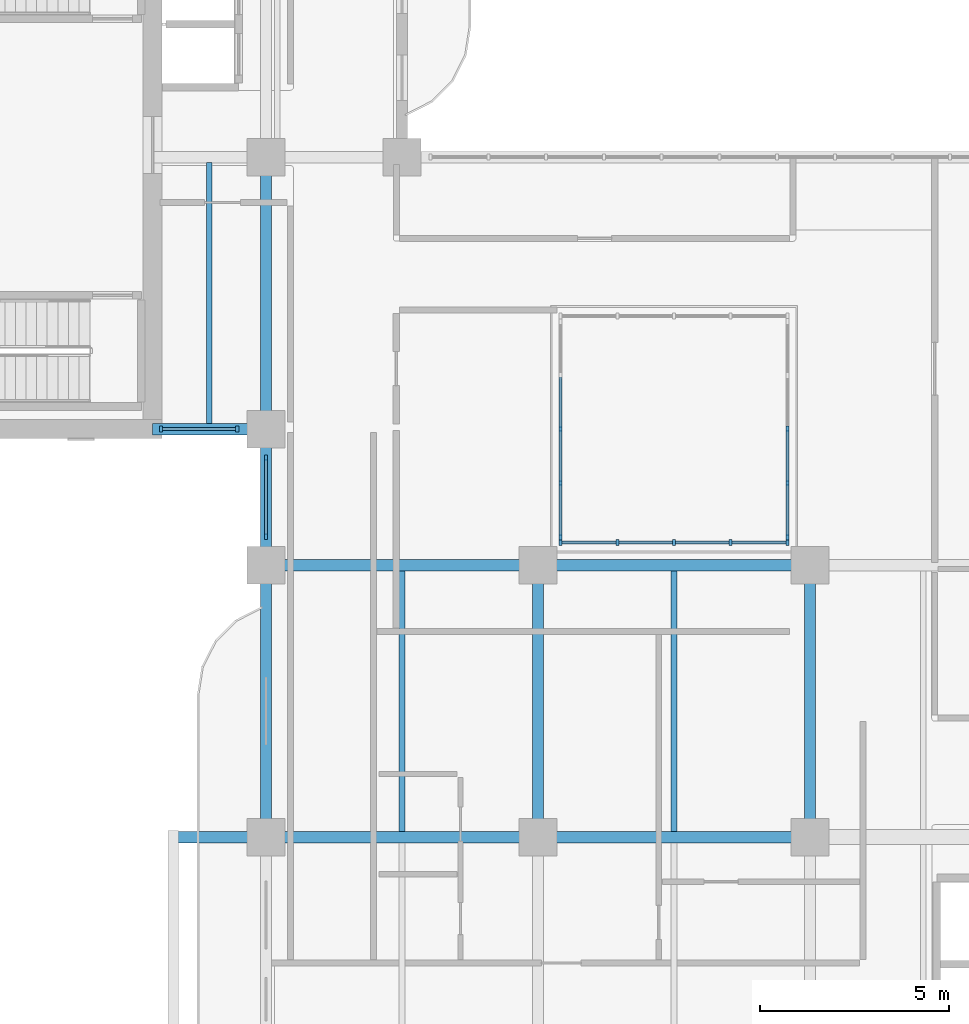
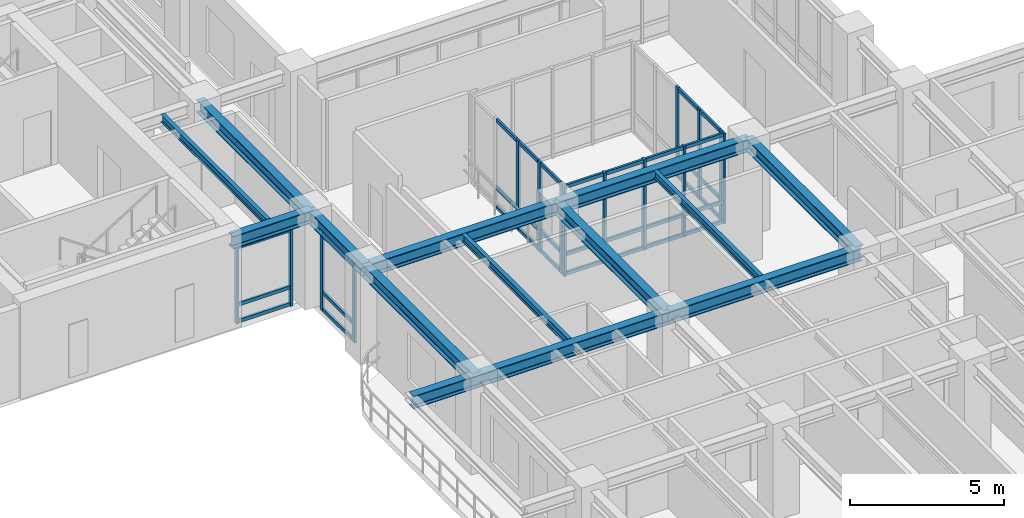
# One storey, part 2 of 21: 48 members, 13 beams, 5 elements without a shape of their own.
"""IFC4 building model written with IfcOpenShell, lengths in metres."""

from ifc_helpers import new_model, si_unit, derived_unit, direction, frame, origin, origin_2d, place, context, subcontext, project, spatial, rectangle, i_section, extrude, source, transform, mapped, material, layer, layer_set, material_profile, profile_set, type_object, type_shapes, element, aggregate, save


model = new_model("IFC4")

# Units and contexts
model_context = context("Model", 3, precision=1e-05, world=origin(), true_north=direction((0.0, 1.0)))
body_context = subcontext(model_context, "Body", "Model", "MODEL_VIEW")
ifc_project = project(units=[si_unit("LENGTHUNIT", "METRE"), si_unit("AREAUNIT", "SQUARE_METRE"), si_unit("VOLUMEUNIT", "CUBIC_METRE"), si_unit("PLANEANGLEUNIT", "RADIAN"), si_unit("MASSUNIT", "GRAM", prefix="KILO"), si_unit("THERMODYNAMICTEMPERATUREUNIT", "KELVIN"), si_unit("POWERUNIT", "WATT"), derived_unit("THERMALTRANSMITTANCEUNIT", [(si_unit("POWERUNIT", "WATT"), 1), (si_unit("AREAUNIT", "SQUARE_METRE"), -1), (si_unit("THERMODYNAMICTEMPERATUREUNIT", "KELVIN"), -1)])], contexts=[model_context])

# Site, building, storey
site_placement = place(None, origin())
site = spatial("IfcSite", under=ifc_project, at=site_placement, CompositionType="ELEMENT")
building_placement = place(site_placement, origin())
building = spatial("IfcBuilding", under=site, at=building_placement, Name="Zahravan Archway Hotel and Residences", CompositionType="ELEMENT")
storey_placement = place(building_placement, frame((0.0, 0.0, 165.699951171875)))
storey = spatial("IfcBuildingStorey", under=building, at=storey_placement, Name="L41", CompositionType="ELEMENT", Elevation=165.699951171875)

# Beams
ifc_material_1 = material(Name="Structural Steel S355JR", Category="steel")
ifc_material_profile_1 = material_profile(ifc_material_1, i_section(OverallWidth=0.300048828125, OverallDepth=0.5, WebThickness=0.014404296875, FlangeThickness=0.028076171875, FilletRadius=0.027099609375, at=origin_2d()), Name="HEB 500", Category="steel")
ifc_profile_set_1 = profile_set([ifc_material_profile_1], Name="Structural Steel S355JR")
beam_type_1 = type_object("IfcBeamType", Name="BM-PRI-HEB500", PredefinedType="BEAM", material=ifc_profile_set_1)
shared_shape_1 = source(origin(), body_context, "Body", "SweptSolid", [
    extrude(i_section(OverallWidth=0.300048828125, OverallDepth=0.5, WebThickness=0.014404296875, FlangeThickness=0.028076171875, FilletRadius=0.027099609375, at=origin_2d()), origin(), (0.0, 0.0, 1.0), 7.2001953125),
])
type_shapes(beam_type_1, [shared_shape_1])
for number, where, z_axis, x_axis, name in (
    (1, (14.39990234375, 21.60009765625, 3.35009765625), (1.0, 0.0, 0.0), (0.0, 1.0, 0.0), "L41 Primary Girder EW-11"),
    (2, (14.39990234375, 14.39990234375, 3.35009765625), (0.0, 1.0, 0.0), (-1.0, 0.0, 0.0), "L41 Primary Girder NS-30"),
    (3, (21.60009765625, 14.39990234375, 3.35009765625), (0.0, 1.0, 0.0), (-1.0, 0.0, 0.0), "L41 Primary Girder NS-37"),
    (4, (28.800048828125, 14.39990234375, 3.35009765625), (0.0, 1.0, 0.0), (-1.0, 0.0, 0.0), "L41 Primary Girder NS-40"),
):
    element("IfcBeam", number, at=place(storey_placement, frame(where, z_axis=z_axis, x_axis=x_axis)), inside=storey, type_object=beam_type_1, Name=name, PredefinedType="BEAM", context=body_context, shape_type="MappedRepresentation", body=[
        mapped(shared_shape_1, transform((0.0, 0.0, 0.0), scale=1.0)),
    ])
shared_shape_2 = source(origin(), body_context, "Body", "SweptSolid", [
    extrude(i_section(OverallWidth=0.300048828125, OverallDepth=0.5, WebThickness=0.014404296875, FlangeThickness=0.028076171875, FilletRadius=0.027099609375, at=origin_2d()), origin(), (0.0, 0.0, 1.0), 7.199951171875),
])
for number, where, z_axis, x_axis, name in (
    (5, (21.60009765625, 14.39990234375, 3.35009765625), (1.0, 0.0, 0.0), (0.0, 1.0, 0.0), "L41 Primary Girder EW-10"),
    (6, (21.60009765625, 21.60009765625, 3.35009765625), (1.0, 0.0, 0.0), (0.0, 1.0, 0.0), "L41 Primary Girder EW-12"),
    (7, (14.39990234375, 25.199951171875, 3.35009765625), (0.0, 1.0, 0.0), (-1.0, 0.0, 0.0), "L41 Primary Girder NS-32"),
):
    element("IfcBeam", number, at=place(storey_placement, frame(where, z_axis=z_axis, x_axis=x_axis)), inside=storey, type_object=beam_type_1, Name=name, PredefinedType="BEAM", context=body_context, shape_type="MappedRepresentation", body=[
        mapped(shared_shape_2, transform((0.0, 0.0, 0.0), scale=1.0)),
    ])
shared_shape_3 = source(origin(), body_context, "Body", "SweptSolid", [
    extrude(i_section(OverallWidth=0.300048828125, OverallDepth=0.5, WebThickness=0.014404296875, FlangeThickness=0.028076171875, FilletRadius=0.027099609375, at=origin_2d()), origin(), (0.0, 0.0, 1.0), 9.650146484375),
])
beam_1_placement = place(storey_placement, frame((11.949951171875, 14.39990234375, 3.35009765625), z_axis=(1.0, 0.0, 0.0), x_axis=(0.0, 1.0, 0.0)))
element("IfcBeam", 8, at=beam_1_placement, inside=storey, type_object=beam_type_1, Name="L41 Primary Girder EW-09", PredefinedType="BEAM", context=body_context, shape_type="MappedRepresentation", body=[
    mapped(shared_shape_3, transform((0.0, 0.0, 0.0), scale=1.0)),
])
shared_shape_4 = source(origin(), body_context, "Body", "SweptSolid", [
    extrude(i_section(OverallWidth=0.300048828125, OverallDepth=0.5, WebThickness=0.014404296875, FlangeThickness=0.028076171875, FilletRadius=0.027099609375, at=origin_2d()), origin(), (0.0, 0.0, 1.0), 3.0),
])
beam_2_placement = place(storey_placement, frame((11.39990234375, 25.199951171875, 3.35009765625), z_axis=(1.0, 0.0, 0.0), x_axis=(0.0, 1.0, 0.0)))
element("IfcBeam", 9, at=beam_2_placement, inside=storey, type_object=beam_type_1, Name="L41 Primary Girder EW-16", PredefinedType="BEAM", context=body_context, shape_type="MappedRepresentation", body=[
    mapped(shared_shape_4, transform((0.0, 0.0, 0.0), scale=1.0)),
])
shared_shape_5 = source(origin(), body_context, "Body", "SweptSolid", [
    extrude(i_section(OverallWidth=0.300048828125, OverallDepth=0.5, WebThickness=0.014404296875, FlangeThickness=0.028076171875, FilletRadius=0.027099609375, at=origin_2d()), origin(), (0.0, 0.0, 1.0), 3.599853515625),
])
beam_3_placement = place(storey_placement, frame((14.39990234375, 21.60009765625, 3.35009765625), z_axis=(0.0, 1.0, 0.0), x_axis=(-1.0, 0.0, 0.0)))
element("IfcBeam", 10, at=beam_3_placement, inside=storey, type_object=beam_type_1, Name="L41 Primary Girder NS-31", PredefinedType="BEAM", context=body_context, shape_type="MappedRepresentation", body=[
    mapped(shared_shape_5, transform((0.0, 0.0, 0.0), scale=1.0)),
])
ifc_material_profile_2 = material_profile(ifc_material_1, i_section(OverallWidth=0.14990234375, OverallDepth=0.300048828125, WebThickness=0.007080078125, FlangeThickness=0.0107421875, FilletRadius=0.014892578125, at=origin_2d()), Name="IPE 300", Category="steel")
ifc_profile_set_2 = profile_set([ifc_material_profile_2], Name="Structural Steel S355JR")
beam_type_2 = type_object("IfcBeamType", Name="BM-JST-IPE300", PredefinedType="JOIST", material=ifc_profile_set_2)
shared_shape_6 = source(origin(), body_context, "Body", "SweptSolid", [
    extrude(i_section(OverallWidth=0.14990234375, OverallDepth=0.300048828125, WebThickness=0.007080078125, FlangeThickness=0.0107421875, FilletRadius=0.014892578125, at=origin_2d()), origin(), (0.0, 0.0, 1.0), 6.904052734375),
])
type_shapes(beam_type_2, [shared_shape_6])
beam_4_placement = place(storey_placement, frame((12.89990234375, 25.347900390625, 3.449951171875), z_axis=(0.0, 1.0, 0.0), x_axis=(-1.0, 0.0, 0.0)))
element("IfcBeam", 11, at=beam_4_placement, inside=storey, type_object=beam_type_2, Name="L41 Composite Floor Joist 10", PredefinedType="JOIST", context=body_context, shape_type="MappedRepresentation", body=[
    mapped(shared_shape_6, transform((0.0, 0.0, 0.0), scale=1.0)),
])
shared_shape_7 = source(origin(), body_context, "Body", "SweptSolid", [
    extrude(i_section(OverallWidth=0.14990234375, OverallDepth=0.300048828125, WebThickness=0.007080078125, FlangeThickness=0.0107421875, FilletRadius=0.014892578125, at=origin_2d()), origin(), (0.0, 0.0, 1.0), 6.90380859375),
])
for number, where, z_axis, x_axis, name in (
    (12, (18.0, 14.548095703125, 3.449951171875), (0.0, 1.0, 0.0), (-1.0, 0.0, 0.0), "L41 Composite Floor Joist 08"),
    (13, (25.199951171875, 14.548095703125, 3.449951171875), (0.0, 1.0, 0.0), (-1.0, 0.0, 0.0), "L41 Composite Floor Joist 09"),
):
    element("IfcBeam", number, at=place(storey_placement, frame(where, z_axis=z_axis, x_axis=x_axis)), inside=storey, type_object=beam_type_2, Name=name, PredefinedType="JOIST", context=body_context, shape_type="MappedRepresentation", body=[
        mapped(shared_shape_7, transform((0.0, 0.0, 0.0), scale=1.0)),
    ])

# Curtain wall, members
ifc_material_2 = material(Name="Bronze-Anodized Unitised Aluminium & Low-E Glass", Category="aluminium")
ifc_layer = layer(ifc_material_2, 0.179931640625, Name="Bronze-Anodized Unitised Aluminium & Low-E Glass", Category="aluminium")
ifc_layer_set = layer_set([ifc_layer], Name="Bronze-Anodized Unitised Aluminium & Low-E Glass")
curtain_wall_type = type_object("IfcCurtainWallType", Name="CW-ATR-GLAZ", PredefinedType="NOTDEFINED", material=ifc_layer_set)
curtain_wall_1_placement = place(storey_placement, origin())
curtain_wall_1 = element("IfcCurtainWall", 14, at=curtain_wall_1_placement, inside=storey, type_object=curtain_wall_type, Name="L41 Curtain Wall CW-L41-WB-SE-1", PredefinedType="NOTDEFINED")
ifc_material_3 = material(Name="Bronze-Anodized Extruded Aluminium", Category="aluminium")
ifc_material_profile_3 = material_profile(ifc_material_3, rectangle(XDim=0.080078125, YDim=0.139892578125, at=origin_2d()), Name="TRN 80x140", Category="aluminium")
ifc_profile_set_3 = profile_set([ifc_material_profile_3], Name="Bronze-Anodized Extruded Aluminium")
member_type_1 = type_object("IfcMemberType", Name="CWM-TRN-140", PredefinedType="USERDEFINED", material=ifc_profile_set_3)
shared_shape_8 = source(origin(), body_context, "Body", "SweptSolid", [
    extrude(rectangle(XDim=0.080078125, YDim=0.139892578125, at=origin_2d()), origin(), (0.0, 0.0, 1.0), 1.940185546875),
])
member_1_placement = place(storey_placement, frame((11.659912109375, 25.199951171875, 0.070068359375), z_axis=(1.0, 0.0, 0.0), x_axis=(0.0, 1.0, 0.0)))
member_1 = element("IfcMember", 15, at=member_1_placement, type_object=member_type_1, Name="CW-L41-WB-SE-1 Transom 0-1", ObjectType="TRANSOM", PredefinedType="USERDEFINED", context=body_context, shape_type="MappedRepresentation", body=[
    mapped(shared_shape_8, transform((0.0, 0.0, 0.0), scale=1.0)),
])
member_2_placement = place(storey_placement, frame((11.659912109375, 25.199951171875, 0.740478515625), z_axis=(1.0, 0.0, 0.0), x_axis=(0.0, 1.0, 0.0)))
member_2 = element("IfcMember", 16, at=member_2_placement, type_object=member_type_1, Name="CW-L41-WB-SE-1 Transom 0-2", ObjectType="TRANSOM", PredefinedType="USERDEFINED", context=body_context, shape_type="MappedRepresentation", body=[
    mapped(shared_shape_8, transform((0.0, 0.0, 0.0), scale=1.0)),
])
member_3_placement = place(storey_placement, frame((11.659912109375, 25.199951171875, 3.01513671875), z_axis=(1.0, 0.0, 0.0), x_axis=(0.0, 1.0, 0.0)))
member_3 = element("IfcMember", 17, at=member_3_placement, type_object=member_type_1, Name="CW-L41-WB-SE-1 Transom 0-3", ObjectType="TRANSOM", PredefinedType="USERDEFINED", context=body_context, shape_type="MappedRepresentation", body=[
    mapped(shared_shape_8, transform((0.0, 0.0, 0.0), scale=1.0)),
])

curtain_wall_2_placement = place(storey_placement, origin())
curtain_wall_2 = element("IfcCurtainWall", 18, at=curtain_wall_2_placement, inside=storey, type_object=curtain_wall_type, Name="L41 Curtain Wall CW-L41-WA-WLU-1", PredefinedType="NOTDEFINED")
shared_shape_9 = source(origin(), body_context, "Body", "SweptSolid", [
    extrude(rectangle(XDim=0.080078125, YDim=0.139892578125, at=origin_2d()), origin(), (0.0, 0.0, 1.0), 2.0),
])
member_4_placement = place(storey_placement, frame((14.39990234375, 22.39990234375, 0.070068359375), z_axis=(0.0, 1.0, 0.0), x_axis=(-1.0, 0.0, 0.0)))
member_4 = element("IfcMember", 19, at=member_4_placement, type_object=member_type_1, Name="CW-L41-WA-WLU-1 Transom 0-1", ObjectType="TRANSOM", PredefinedType="USERDEFINED", context=body_context, shape_type="MappedRepresentation", body=[
    mapped(shared_shape_9, transform((0.0, 0.0, 0.0), scale=1.0)),
])
member_5_placement = place(storey_placement, frame((14.39990234375, 22.39990234375, 0.740478515625), z_axis=(0.0, 1.0, 0.0), x_axis=(-1.0, 0.0, 0.0)))
member_5 = element("IfcMember", 20, at=member_5_placement, type_object=member_type_1, Name="CW-L41-WA-WLU-1 Transom 0-2", ObjectType="TRANSOM", PredefinedType="USERDEFINED", context=body_context, shape_type="MappedRepresentation", body=[
    mapped(shared_shape_9, transform((0.0, 0.0, 0.0), scale=1.0)),
])
member_6_placement = place(storey_placement, frame((14.39990234375, 22.39990234375, 3.01513671875), z_axis=(0.0, 1.0, 0.0), x_axis=(-1.0, 0.0, 0.0)))
member_6 = element("IfcMember", 21, at=member_6_placement, type_object=member_type_1, Name="CW-L41-WA-WLU-1 Transom 0-3", ObjectType="TRANSOM", PredefinedType="USERDEFINED", context=body_context, shape_type="MappedRepresentation", body=[
    mapped(shared_shape_9, transform((0.0, 0.0, 0.0), scale=1.0)),
])

curtain_wall_3_placement = place(storey_placement, origin())
curtain_wall_3 = element("IfcCurtainWall", 22, at=curtain_wall_3_placement, inside=storey, type_object=curtain_wall_type, Name="L41 Curtain Wall CW-ATR-L41-S-1", PredefinedType="NOTDEFINED")
shared_shape_10 = source(origin(), body_context, "Body", "SweptSolid", [
    extrude(rectangle(XDim=0.080078125, YDim=0.139892578125, at=origin_2d()), origin(), (0.0, 0.0, 1.0), 1.419921875),
])
member_7_placement = place(storey_placement, frame((22.239990234375, 22.199951171875, 0.070068359375), z_axis=(1.0, 0.0, 0.0), x_axis=(0.0, 1.0, 0.0)))
member_7 = element("IfcMember", 23, at=member_7_placement, type_object=member_type_1, Name="CW-ATR-L41-S-1 Transom 0-1", ObjectType="TRANSOM", PredefinedType="USERDEFINED", context=body_context, shape_type="MappedRepresentation", body=[
    mapped(shared_shape_10, transform((0.0, 0.0, 0.0), scale=1.0)),
])
member_8_placement = place(storey_placement, frame((22.239990234375, 22.199951171875, 0.85009765625), z_axis=(1.0, 0.0, 0.0), x_axis=(0.0, 1.0, 0.0)))
member_8 = element("IfcMember", 24, at=member_8_placement, type_object=member_type_1, Name="CW-ATR-L41-S-1 Transom 0-2", ObjectType="TRANSOM", PredefinedType="USERDEFINED", context=body_context, shape_type="MappedRepresentation", body=[
    mapped(shared_shape_10, transform((0.0, 0.0, 0.0), scale=1.0)),
])
member_9_placement = place(storey_placement, frame((22.239990234375, 22.199951171875, 3.530029296875), z_axis=(1.0, 0.0, 0.0), x_axis=(0.0, 1.0, 0.0)))
member_9 = element("IfcMember", 25, at=member_9_placement, type_object=member_type_1, Name="CW-ATR-L41-S-1 Transom 0-3", ObjectType="TRANSOM", PredefinedType="USERDEFINED", context=body_context, shape_type="MappedRepresentation", body=[
    mapped(shared_shape_10, transform((0.0, 0.0, 0.0), scale=1.0)),
])
member_10_placement = place(storey_placement, frame((23.739990234375, 22.199951171875, 0.070068359375), z_axis=(1.0, 0.0, 0.0), x_axis=(0.0, 1.0, 0.0)))
member_10 = element("IfcMember", 26, at=member_10_placement, type_object=member_type_1, Name="CW-ATR-L41-S-1 Transom 1-1", ObjectType="TRANSOM", PredefinedType="USERDEFINED", context=body_context, shape_type="MappedRepresentation", body=[
    mapped(shared_shape_10, transform((0.0, 0.0, 0.0), scale=1.0)),
])
member_11_placement = place(storey_placement, frame((23.739990234375, 22.199951171875, 0.85009765625), z_axis=(1.0, 0.0, 0.0), x_axis=(0.0, 1.0, 0.0)))
member_11 = element("IfcMember", 27, at=member_11_placement, type_object=member_type_1, Name="CW-ATR-L41-S-1 Transom 1-2", ObjectType="TRANSOM", PredefinedType="USERDEFINED", context=body_context, shape_type="MappedRepresentation", body=[
    mapped(shared_shape_10, transform((0.0, 0.0, 0.0), scale=1.0)),
])
member_12_placement = place(storey_placement, frame((23.739990234375, 22.199951171875, 3.530029296875), z_axis=(1.0, 0.0, 0.0), x_axis=(0.0, 1.0, 0.0)))
member_12 = element("IfcMember", 28, at=member_12_placement, type_object=member_type_1, Name="CW-ATR-L41-S-1 Transom 1-3", ObjectType="TRANSOM", PredefinedType="USERDEFINED", context=body_context, shape_type="MappedRepresentation", body=[
    mapped(shared_shape_10, transform((0.0, 0.0, 0.0), scale=1.0)),
])
member_13_placement = place(storey_placement, frame((25.239990234375, 22.199951171875, 0.070068359375), z_axis=(1.0, 0.0, 0.0), x_axis=(0.0, 1.0, 0.0)))
member_13 = element("IfcMember", 29, at=member_13_placement, type_object=member_type_1, Name="CW-ATR-L41-S-1 Transom 2-1", ObjectType="TRANSOM", PredefinedType="USERDEFINED", context=body_context, shape_type="MappedRepresentation", body=[
    mapped(shared_shape_10, transform((0.0, 0.0, 0.0), scale=1.0)),
])
member_14_placement = place(storey_placement, frame((25.239990234375, 22.199951171875, 0.85009765625), z_axis=(1.0, 0.0, 0.0), x_axis=(0.0, 1.0, 0.0)))
member_14 = element("IfcMember", 30, at=member_14_placement, type_object=member_type_1, Name="CW-ATR-L41-S-1 Transom 2-2", ObjectType="TRANSOM", PredefinedType="USERDEFINED", context=body_context, shape_type="MappedRepresentation", body=[
    mapped(shared_shape_10, transform((0.0, 0.0, 0.0), scale=1.0)),
])
member_15_placement = place(storey_placement, frame((25.239990234375, 22.199951171875, 3.530029296875), z_axis=(1.0, 0.0, 0.0), x_axis=(0.0, 1.0, 0.0)))
member_15 = element("IfcMember", 31, at=member_15_placement, type_object=member_type_1, Name="CW-ATR-L41-S-1 Transom 2-3", ObjectType="TRANSOM", PredefinedType="USERDEFINED", context=body_context, shape_type="MappedRepresentation", body=[
    mapped(shared_shape_10, transform((0.0, 0.0, 0.0), scale=1.0)),
])
member_16_placement = place(storey_placement, frame((26.739990234375, 22.199951171875, 0.070068359375), z_axis=(1.0, 0.0, 0.0), x_axis=(0.0, 1.0, 0.0)))
member_16 = element("IfcMember", 32, at=member_16_placement, type_object=member_type_1, Name="CW-ATR-L41-S-1 Transom 3-1", ObjectType="TRANSOM", PredefinedType="USERDEFINED", context=body_context, shape_type="MappedRepresentation", body=[
    mapped(shared_shape_10, transform((0.0, 0.0, 0.0), scale=1.0)),
])
member_17_placement = place(storey_placement, frame((26.739990234375, 22.199951171875, 0.85009765625), z_axis=(1.0, 0.0, 0.0), x_axis=(0.0, 1.0, 0.0)))
member_17 = element("IfcMember", 33, at=member_17_placement, type_object=member_type_1, Name="CW-ATR-L41-S-1 Transom 3-2", ObjectType="TRANSOM", PredefinedType="USERDEFINED", context=body_context, shape_type="MappedRepresentation", body=[
    mapped(shared_shape_10, transform((0.0, 0.0, 0.0), scale=1.0)),
])
member_18_placement = place(storey_placement, frame((26.739990234375, 22.199951171875, 3.530029296875), z_axis=(1.0, 0.0, 0.0), x_axis=(0.0, 1.0, 0.0)))
member_18 = element("IfcMember", 34, at=member_18_placement, type_object=member_type_1, Name="CW-ATR-L41-S-1 Transom 3-3", ObjectType="TRANSOM", PredefinedType="USERDEFINED", context=body_context, shape_type="MappedRepresentation", body=[
    mapped(shared_shape_10, transform((0.0, 0.0, 0.0), scale=1.0)),
])

curtain_wall_4_placement = place(storey_placement, origin())
curtain_wall_4 = element("IfcCurtainWall", 35, at=curtain_wall_4_placement, inside=storey, type_object=curtain_wall_type, Name="L41 Curtain Wall CW-ATR-L41-W-1", PredefinedType="NOTDEFINED")
shared_shape_11 = source(origin(), body_context, "Body", "SweptSolid", [
    extrude(rectangle(XDim=0.080078125, YDim=0.139892578125, at=origin_2d()), origin(), (0.0, 0.0, 1.0), 1.34521484375),
])
member_19_placement = place(storey_placement, frame((22.199951171875, 22.389892578125, 0.070068359375), z_axis=(0.0, 1.0, 0.0), x_axis=(-1.0, 0.0, 0.0)))
member_19 = element("IfcMember", 36, at=member_19_placement, type_object=member_type_1, Name="CW-ATR-L41-W-1 Transom 0-1", ObjectType="TRANSOM", PredefinedType="USERDEFINED", context=body_context, shape_type="MappedRepresentation", body=[
    mapped(shared_shape_11, transform((0.0, 0.0, 0.0), scale=1.0)),
])
member_20_placement = place(storey_placement, frame((22.199951171875, 22.389892578125, 0.85009765625), z_axis=(0.0, 1.0, 0.0), x_axis=(-1.0, 0.0, 0.0)))
member_20 = element("IfcMember", 37, at=member_20_placement, type_object=member_type_1, Name="CW-ATR-L41-W-1 Transom 0-2", ObjectType="TRANSOM", PredefinedType="USERDEFINED", context=body_context, shape_type="MappedRepresentation", body=[
    mapped(shared_shape_11, transform((0.0, 0.0, 0.0), scale=1.0)),
])
member_21_placement = place(storey_placement, frame((22.199951171875, 22.389892578125, 3.530029296875), z_axis=(0.0, 1.0, 0.0), x_axis=(-1.0, 0.0, 0.0)))
member_21 = element("IfcMember", 38, at=member_21_placement, type_object=member_type_1, Name="CW-ATR-L41-W-1 Transom 0-3", ObjectType="TRANSOM", PredefinedType="USERDEFINED", context=body_context, shape_type="MappedRepresentation", body=[
    mapped(shared_shape_11, transform((0.0, 0.0, 0.0), scale=1.0)),
])

curtain_wall_5_placement = place(storey_placement, origin())
curtain_wall_5 = element("IfcCurtainWall", 39, at=curtain_wall_5_placement, inside=storey, type_object=curtain_wall_type, Name="L41 Curtain Wall CW-ATR-L41-E-1", PredefinedType="NOTDEFINED")
member_22_placement = place(storey_placement, frame((28.199951171875, 22.389892578125, 0.070068359375), z_axis=(0.0, 1.0, 0.0), x_axis=(-1.0, 0.0, 0.0)))
member_22 = element("IfcMember", 40, at=member_22_placement, type_object=member_type_1, Name="CW-ATR-L41-E-1 Transom 0-1", ObjectType="TRANSOM", PredefinedType="USERDEFINED", context=body_context, shape_type="MappedRepresentation", body=[
    mapped(shared_shape_11, transform((0.0, 0.0, 0.0), scale=1.0)),
])
member_23_placement = place(storey_placement, frame((28.199951171875, 22.389892578125, 0.85009765625), z_axis=(0.0, 1.0, 0.0), x_axis=(-1.0, 0.0, 0.0)))
member_23 = element("IfcMember", 41, at=member_23_placement, type_object=member_type_1, Name="CW-ATR-L41-E-1 Transom 0-2", ObjectType="TRANSOM", PredefinedType="USERDEFINED", context=body_context, shape_type="MappedRepresentation", body=[
    mapped(shared_shape_11, transform((0.0, 0.0, 0.0), scale=1.0)),
])
member_24_placement = place(storey_placement, frame((28.199951171875, 22.389892578125, 3.530029296875), z_axis=(0.0, 1.0, 0.0), x_axis=(-1.0, 0.0, 0.0)))
member_24 = element("IfcMember", 42, at=member_24_placement, type_object=member_type_1, Name="CW-ATR-L41-E-1 Transom 0-3", ObjectType="TRANSOM", PredefinedType="USERDEFINED", context=body_context, shape_type="MappedRepresentation", body=[
    mapped(shared_shape_11, transform((0.0, 0.0, 0.0), scale=1.0)),
])

# Member
shared_shape_12 = source(origin(), body_context, "Body", "SweptSolid", [
    extrude(rectangle(XDim=0.080078125, YDim=0.139892578125, at=origin_2d()), origin(), (0.0, 0.0, 1.0), 1.344970703125),
])
member_25_placement = place(storey_placement, frame((22.199951171875, 23.81494140625, 0.070068359375), z_axis=(0.0, 1.0, 0.0), x_axis=(-1.0, 0.0, 0.0)))
member_25 = element("IfcMember", 43, at=member_25_placement, type_object=member_type_1, Name="CW-ATR-L41-W-1 Transom 1-1", ObjectType="TRANSOM", PredefinedType="USERDEFINED", context=body_context, shape_type="MappedRepresentation", body=[
    mapped(shared_shape_12, transform((0.0, 0.0, 0.0), scale=1.0)),
])

member_26_placement = place(storey_placement, frame((22.199951171875, 23.81494140625, 0.85009765625), z_axis=(0.0, 1.0, 0.0), x_axis=(-1.0, 0.0, 0.0)))
member_26 = element("IfcMember", 44, at=member_26_placement, type_object=member_type_1, Name="CW-ATR-L41-W-1 Transom 1-2", ObjectType="TRANSOM", PredefinedType="USERDEFINED", context=body_context, shape_type="MappedRepresentation", body=[
    mapped(shared_shape_12, transform((0.0, 0.0, 0.0), scale=1.0)),
])

member_27_placement = place(storey_placement, frame((22.199951171875, 23.81494140625, 3.530029296875), z_axis=(0.0, 1.0, 0.0), x_axis=(-1.0, 0.0, 0.0)))
member_27 = element("IfcMember", 45, at=member_27_placement, type_object=member_type_1, Name="CW-ATR-L41-W-1 Transom 1-3", ObjectType="TRANSOM", PredefinedType="USERDEFINED", context=body_context, shape_type="MappedRepresentation", body=[
    mapped(shared_shape_12, transform((0.0, 0.0, 0.0), scale=1.0)),
])

member_28_placement = place(storey_placement, frame((22.199951171875, 25.239990234375, 0.070068359375), z_axis=(0.0, 1.0, 0.0), x_axis=(-1.0, 0.0, 0.0)))
member_28 = element("IfcMember", 46, at=member_28_placement, type_object=member_type_1, Name="CW-ATR-L41-W-1 Transom 2-1", ObjectType="TRANSOM", PredefinedType="USERDEFINED", context=body_context, shape_type="MappedRepresentation", body=[
    mapped(shared_shape_12, transform((0.0, 0.0, 0.0), scale=1.0)),
])

member_29_placement = place(storey_placement, frame((22.199951171875, 25.239990234375, 0.85009765625), z_axis=(0.0, 1.0, 0.0), x_axis=(-1.0, 0.0, 0.0)))
member_29 = element("IfcMember", 47, at=member_29_placement, type_object=member_type_1, Name="CW-ATR-L41-W-1 Transom 2-2", ObjectType="TRANSOM", PredefinedType="USERDEFINED", context=body_context, shape_type="MappedRepresentation", body=[
    mapped(shared_shape_12, transform((0.0, 0.0, 0.0), scale=1.0)),
])

member_30_placement = place(storey_placement, frame((22.199951171875, 25.239990234375, 3.530029296875), z_axis=(0.0, 1.0, 0.0), x_axis=(-1.0, 0.0, 0.0)))
member_30 = element("IfcMember", 48, at=member_30_placement, type_object=member_type_1, Name="CW-ATR-L41-W-1 Transom 2-3", ObjectType="TRANSOM", PredefinedType="USERDEFINED", context=body_context, shape_type="MappedRepresentation", body=[
    mapped(shared_shape_12, transform((0.0, 0.0, 0.0), scale=1.0)),
])

member_31_placement = place(storey_placement, frame((28.199951171875, 23.81494140625, 0.070068359375), z_axis=(0.0, 1.0, 0.0), x_axis=(-1.0, 0.0, 0.0)))
member_31 = element("IfcMember", 49, at=member_31_placement, type_object=member_type_1, Name="CW-ATR-L41-E-1 Transom 1-1", ObjectType="TRANSOM", PredefinedType="USERDEFINED", context=body_context, shape_type="MappedRepresentation", body=[
    mapped(shared_shape_12, transform((0.0, 0.0, 0.0), scale=1.0)),
])

member_32_placement = place(storey_placement, frame((28.199951171875, 23.81494140625, 0.85009765625), z_axis=(0.0, 1.0, 0.0), x_axis=(-1.0, 0.0, 0.0)))
member_32 = element("IfcMember", 50, at=member_32_placement, type_object=member_type_1, Name="CW-ATR-L41-E-1 Transom 1-2", ObjectType="TRANSOM", PredefinedType="USERDEFINED", context=body_context, shape_type="MappedRepresentation", body=[
    mapped(shared_shape_12, transform((0.0, 0.0, 0.0), scale=1.0)),
])

member_33_placement = place(storey_placement, frame((28.199951171875, 23.81494140625, 3.530029296875), z_axis=(0.0, 1.0, 0.0), x_axis=(-1.0, 0.0, 0.0)))
member_33 = element("IfcMember", 51, at=member_33_placement, type_object=member_type_1, Name="CW-ATR-L41-E-1 Transom 1-3", ObjectType="TRANSOM", PredefinedType="USERDEFINED", context=body_context, shape_type="MappedRepresentation", body=[
    mapped(shared_shape_12, transform((0.0, 0.0, 0.0), scale=1.0)),
])

ifc_material_profile_4 = material_profile(ifc_material_3, rectangle(XDim=0.080078125, YDim=0.159912109375, at=origin_2d()), Name="MUL 80x160", Category="aluminium")
ifc_profile_set_4 = profile_set([ifc_material_profile_4], Name="Bronze-Anodized Extruded Aluminium")
member_type_2 = type_object("IfcMemberType", Name="CWM-MUL-160", PredefinedType="MULLION", material=ifc_profile_set_4)
shared_shape_13 = source(origin(), body_context, "Body", "SweptSolid", [
    extrude(rectangle(XDim=0.080078125, YDim=0.159912109375, at=origin_2d()), origin(), (0.0, 0.0, 1.0), 3.0849609375),
])
member_34_placement = place(storey_placement, frame((14.39990234375, 22.360107421875, 0.0), z_axis=(0.0, 0.0, 1.0), x_axis=(1.0, 0.0, 0.0)))
member_34 = element("IfcMember", 52, at=member_34_placement, type_object=member_type_2, Name="CW-L41-WA-WLU-1 Mullion 0", PredefinedType="MULLION", context=body_context, shape_type="MappedRepresentation", body=[
    mapped(shared_shape_13, transform((0.0, 0.0, 0.0), scale=1.0)),
])

member_35_placement = place(storey_placement, frame((14.39990234375, 24.43994140625, 0.0), z_axis=(0.0, 0.0, 1.0), x_axis=(1.0, 0.0, 0.0)))
member_35 = element("IfcMember", 53, at=member_35_placement, type_object=member_type_2, Name="CW-L41-WA-WLU-1 Mullion 1", PredefinedType="MULLION", context=body_context, shape_type="MappedRepresentation", body=[
    mapped(shared_shape_13, transform((0.0, 0.0, 0.0), scale=1.0)),
])

aggregate(curtain_wall_2, [member_34, member_35, member_4, member_5, member_6])

member_36_placement = place(storey_placement, frame((11.6201171875, 25.199951171875, 0.0), z_axis=(0.0, 0.0, 1.0), x_axis=(1.0, 0.0, 0.0)))
member_36 = element("IfcMember", 54, at=member_36_placement, type_object=member_type_2, Name="CW-L41-WB-SE-1 Mullion 0", PredefinedType="MULLION", context=body_context, shape_type="MappedRepresentation", body=[
    mapped(shared_shape_13, transform((0.0, 0.0, 0.0), scale=1.0)),
])

member_37_placement = place(storey_placement, frame((13.639892578125, 25.199951171875, 0.0), z_axis=(0.0, 0.0, 1.0), x_axis=(1.0, 0.0, 0.0)))
member_37 = element("IfcMember", 55, at=member_37_placement, type_object=member_type_2, Name="CW-L41-WB-SE-1 Mullion 1", PredefinedType="MULLION", context=body_context, shape_type="MappedRepresentation", body=[
    mapped(shared_shape_13, transform((0.0, 0.0, 0.0), scale=1.0)),
])

aggregate(curtain_wall_1, [member_36, member_37, member_1, member_2, member_3])

shared_shape_14 = source(origin(), body_context, "Body", "SweptSolid", [
    extrude(rectangle(XDim=0.080078125, YDim=0.159912109375, at=origin_2d()), origin(), (0.0, 0.0, 1.0), 3.60009765625),
])
member_38_placement = place(storey_placement, frame((22.199951171875, 22.199951171875, 0.0), z_axis=(0.0, 0.0, 1.0), x_axis=(1.0, 0.0, 0.0)))
member_38 = element("IfcMember", 56, at=member_38_placement, type_object=member_type_2, Name="CW-ATR-L41-S-1 Mullion 0", PredefinedType="MULLION", context=body_context, shape_type="MappedRepresentation", body=[
    mapped(shared_shape_14, transform((0.0, 0.0, 0.0), scale=1.0)),
])

member_39_placement = place(storey_placement, frame((23.699951171875, 22.199951171875, 0.0), z_axis=(0.0, 0.0, 1.0), x_axis=(1.0, 0.0, 0.0)))
member_39 = element("IfcMember", 57, at=member_39_placement, type_object=member_type_2, Name="CW-ATR-L41-S-1 Mullion 1", PredefinedType="MULLION", context=body_context, shape_type="MappedRepresentation", body=[
    mapped(shared_shape_14, transform((0.0, 0.0, 0.0), scale=1.0)),
])

member_40_placement = place(storey_placement, frame((25.199951171875, 22.199951171875, 0.0), z_axis=(0.0, 0.0, 1.0), x_axis=(1.0, 0.0, 0.0)))
member_40 = element("IfcMember", 58, at=member_40_placement, type_object=member_type_2, Name="CW-ATR-L41-S-1 Mullion 2", PredefinedType="MULLION", context=body_context, shape_type="MappedRepresentation", body=[
    mapped(shared_shape_14, transform((0.0, 0.0, 0.0), scale=1.0)),
])

member_41_placement = place(storey_placement, frame((26.699951171875, 22.199951171875, 0.0), z_axis=(0.0, 0.0, 1.0), x_axis=(1.0, 0.0, 0.0)))
member_41 = element("IfcMember", 59, at=member_41_placement, type_object=member_type_2, Name="CW-ATR-L41-S-1 Mullion 3", PredefinedType="MULLION", context=body_context, shape_type="MappedRepresentation", body=[
    mapped(shared_shape_14, transform((0.0, 0.0, 0.0), scale=1.0)),
])

member_42_placement = place(storey_placement, frame((28.199951171875, 22.199951171875, 0.0), z_axis=(0.0, 0.0, 1.0), x_axis=(1.0, 0.0, 0.0)))
member_42 = element("IfcMember", 60, at=member_42_placement, type_object=member_type_2, Name="CW-ATR-L41-S-1 Mullion 4", PredefinedType="MULLION", context=body_context, shape_type="MappedRepresentation", body=[
    mapped(shared_shape_14, transform((0.0, 0.0, 0.0), scale=1.0)),
])

aggregate(curtain_wall_3, [member_38, member_39, member_40, member_41, member_42, member_7, member_8, member_9, member_10, member_11, member_12, member_13, member_14, member_15, member_16, member_17, member_18])

member_43_placement = place(storey_placement, frame((22.199951171875, 22.35009765625, 0.0), z_axis=(0.0, 0.0, 1.0), x_axis=(1.0, 0.0, 0.0)))
member_43 = element("IfcMember", 61, at=member_43_placement, type_object=member_type_2, Name="CW-ATR-L41-W-1 Mullion 0", PredefinedType="MULLION", context=body_context, shape_type="MappedRepresentation", body=[
    mapped(shared_shape_14, transform((0.0, 0.0, 0.0), scale=1.0)),
])

member_44_placement = place(storey_placement, frame((22.199951171875, 23.77490234375, 0.0), z_axis=(0.0, 0.0, 1.0), x_axis=(1.0, 0.0, 0.0)))
member_44 = element("IfcMember", 62, at=member_44_placement, type_object=member_type_2, Name="CW-ATR-L41-W-1 Mullion 1", PredefinedType="MULLION", context=body_context, shape_type="MappedRepresentation", body=[
    mapped(shared_shape_14, transform((0.0, 0.0, 0.0), scale=1.0)),
])

member_45_placement = place(storey_placement, frame((22.199951171875, 25.199951171875, 0.0), z_axis=(0.0, 0.0, 1.0), x_axis=(1.0, 0.0, 0.0)))
member_45 = element("IfcMember", 63, at=member_45_placement, type_object=member_type_2, Name="CW-ATR-L41-W-1 Mullion 2", PredefinedType="MULLION", context=body_context, shape_type="MappedRepresentation", body=[
    mapped(shared_shape_14, transform((0.0, 0.0, 0.0), scale=1.0)),
])

aggregate(curtain_wall_4, [member_43, member_44, member_45, member_19, member_20, member_21, member_25, member_26, member_27, member_28, member_29, member_30])

member_46_placement = place(storey_placement, frame((28.199951171875, 22.35009765625, 0.0), z_axis=(0.0, 0.0, 1.0), x_axis=(1.0, 0.0, 0.0)))
member_46 = element("IfcMember", 64, at=member_46_placement, type_object=member_type_2, Name="CW-ATR-L41-E-1 Mullion 0", PredefinedType="MULLION", context=body_context, shape_type="MappedRepresentation", body=[
    mapped(shared_shape_14, transform((0.0, 0.0, 0.0), scale=1.0)),
])

member_47_placement = place(storey_placement, frame((28.199951171875, 23.77490234375, 0.0), z_axis=(0.0, 0.0, 1.0), x_axis=(1.0, 0.0, 0.0)))
member_47 = element("IfcMember", 65, at=member_47_placement, type_object=member_type_2, Name="CW-ATR-L41-E-1 Mullion 1", PredefinedType="MULLION", context=body_context, shape_type="MappedRepresentation", body=[
    mapped(shared_shape_14, transform((0.0, 0.0, 0.0), scale=1.0)),
])

member_48_placement = place(storey_placement, frame((28.199951171875, 25.199951171875, 0.0), z_axis=(0.0, 0.0, 1.0), x_axis=(1.0, 0.0, 0.0)))
member_48 = element("IfcMember", 66, at=member_48_placement, type_object=member_type_2, Name="CW-ATR-L41-E-1 Mullion 2", PredefinedType="MULLION", context=body_context, shape_type="MappedRepresentation", body=[
    mapped(shared_shape_14, transform((0.0, 0.0, 0.0), scale=1.0)),
])

aggregate(curtain_wall_5, [member_46, member_47, member_48, member_22, member_23, member_24, member_31, member_32, member_33])

save(model, "model.ifc")
